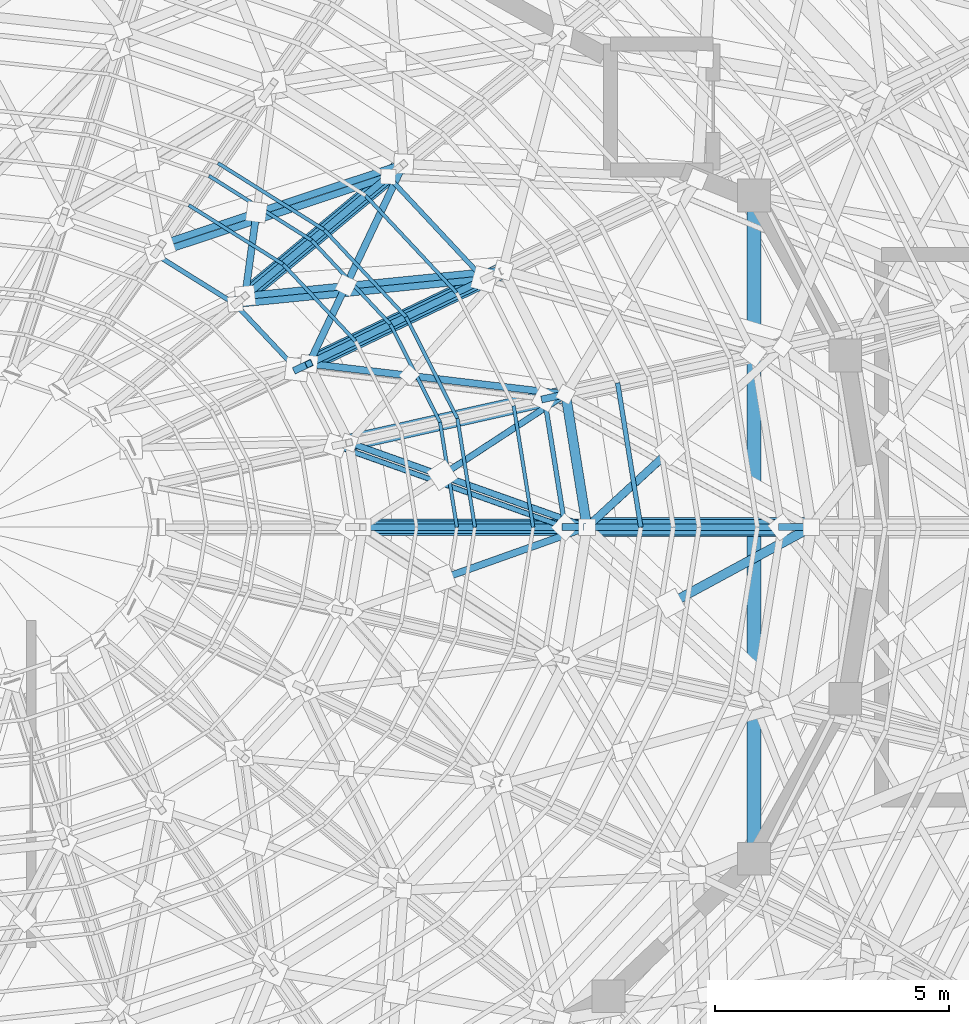
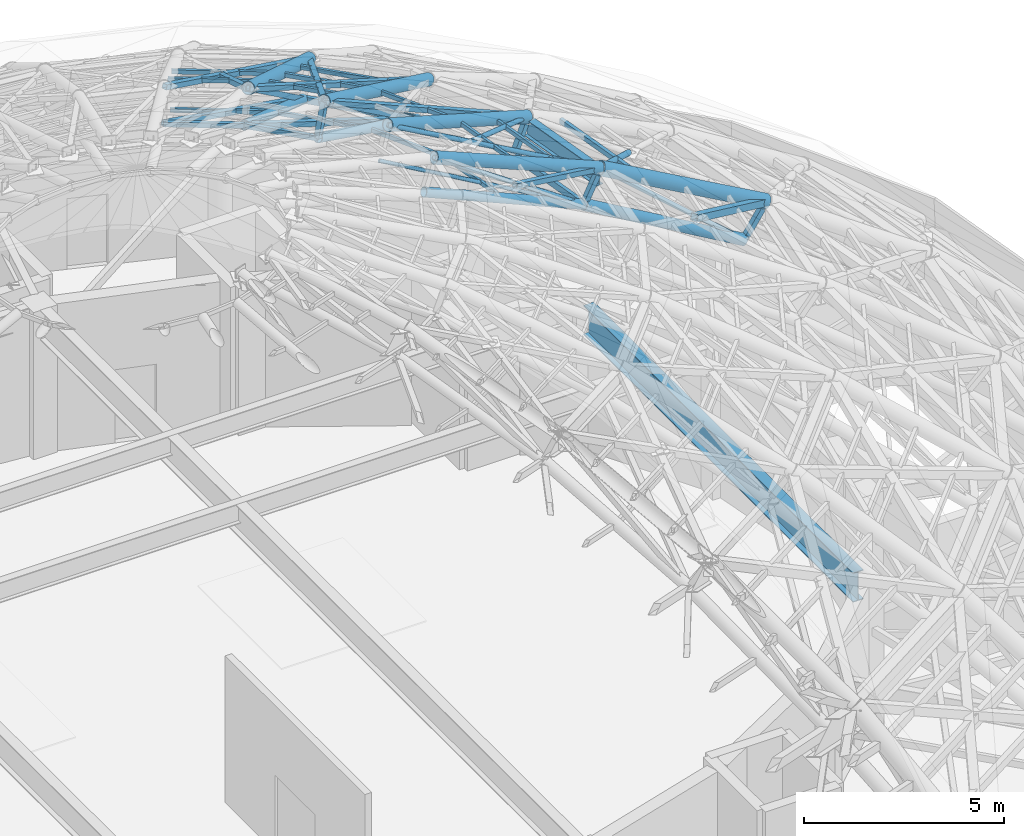
# One storey, part 22 of 50: 48 members, 2 beams.
"""IFC4 building model written with IfcOpenShell, lengths in metres."""

from ifc_helpers import new_model, si_unit, direction, frame, origin, origin_2d, place, context, subcontext, project, spatial, hollow_rectangle, hollow_circle, i_section, extrude, material, material_profile, profile_set, type_object, element, save


model = new_model("IFC4")

# Units and contexts
model_context = context("Model", 3, precision=1e-05, world=origin(), true_north=direction((0.0, 1.0)))
body_context = subcontext(model_context, "Body", "Model", "MODEL_VIEW")
ifc_project = project(units=[si_unit("LENGTHUNIT", "METRE"), si_unit("AREAUNIT", "SQUARE_METRE"), si_unit("VOLUMEUNIT", "CUBIC_METRE"), si_unit("PLANEANGLEUNIT", "RADIAN"), si_unit("MASSUNIT", "GRAM", prefix="KILO")], contexts=[model_context])

# Site, building, storey
site_placement = place(None, origin())
site = spatial("IfcSite", under=ifc_project, at=site_placement, CompositionType="ELEMENT")
building_placement = place(site_placement, origin())
building = spatial("IfcBuilding", under=site, at=building_placement, Name="Cinderbank Siding Concert Hall", CompositionType="ELEMENT")
storey_placement = place(building_placement, frame((0.0, 0.0, 23.699951171875)))
storey = spatial("IfcBuildingStorey", under=building, at=storey_placement, Name="L06", CompositionType="ELEMENT", Elevation=23.699951171875)

# Beams
ifc_material_1 = material(Name="Structural steel AS/NZS 3679.1 Grade 350 (340 MPa)", Category="steel")
ifc_material_profile_1 = material_profile(ifc_material_1, i_section(OverallWidth=0.208984375, OverallDepth=0.532958984375, WebThickness=0.01025390625, FlangeThickness=0.015625, at=origin_2d()), Name="530UB92.4", Category="LoadBearing")
ifc_profile_set_1 = profile_set([ifc_material_profile_1], Name="Structural steel AS/NZS 3679.1 Grade 350 (340 MPa)")
beam_type_1 = type_object("IfcBeamType", Name="BM-UB530H 530UB92.4", PredefinedType="BEAM", material=ifc_profile_set_1)
beam_1_placement = place(storey_placement, frame((135.39990234375, 44.0, 13.733642578125), z_axis=(-0.158340547868, 0.987384560797, 0.0), x_axis=(-0.987384560797, -0.158340547868, 0.0)))
element("IfcBeam", 1, at=beam_1_placement, inside=storey, type_object=beam_type_1, Name="L06 Beam BM-UB530H #2072", PredefinedType="BEAM", context=body_context, shape_type="SweptSolid", body=[
    extrude(i_section(OverallWidth=0.208984375, OverallDepth=0.532958984375, WebThickness=0.01025390625, FlangeThickness=0.015625, at=origin_2d()), origin(), (0.0, 0.0, 1.0), 2.88330078125),
])
ifc_material_2 = material(Name="Structural steel welded plate section AS/NZS 3679.2 / AS/NZS 3678 Grade 350 (340 MPa)", Category="steel")
ifc_material_profile_2 = material_profile(ifc_material_2, i_section(OverallWidth=0.300048828125, OverallDepth=0.89990234375, WebThickness=0.013916015625, FlangeThickness=0.02490234375, at=origin_2d()), Name="900WB218", Category="LoadBearing")
ifc_profile_set_2 = profile_set([ifc_material_profile_2], Name="Structural steel welded plate section AS/NZS 3679.2 / AS/NZS 3678 Grade 350 (340 MPa)")
beam_type_2 = type_object("IfcBeamType", Name="BM-WB900 900WB218", PredefinedType="BEAM", material=ifc_profile_set_2)
beam_2_placement = place(storey_placement, frame((138.97412109375, 50.758056640625, 4.052001953125), z_axis=(0.0, -1.0, 0.0), x_axis=(1.0, 0.0, 0.0)))
element("IfcBeam", 2, at=beam_2_placement, inside=storey, type_object=beam_type_2, Name="L06 Beam BM-WB900 #121", PredefinedType="BEAM", context=body_context, shape_type="SweptSolid", body=[
    extrude(i_section(OverallWidth=0.300048828125, OverallDepth=0.89990234375, WebThickness=0.013916015625, FlangeThickness=0.02490234375, at=origin_2d()), origin(), (0.0, 0.0, 1.0), 13.51611328125),
])

# Members
ifc_material_3 = material(Name="Structural steel hollow section AS/NZS 1163 Grade C350L0 (350 MPa)", Category="steel")
ifc_material_profile_3 = material_profile(ifc_material_3, hollow_circle(Radius=0.05712890625, WallThickness=0.006103515625, at=origin_2d()), Name="114.3x6.0CHS", Category="LoadBearing")
ifc_profile_set_3 = profile_set([ifc_material_profile_3], Name="Structural steel hollow section AS/NZS 1163 Grade C350L0 (350 MPa)")
member_type_1 = type_object("IfcMemberType", Name="BR-CHS114 114.3x6.0CHS Roof Truss", PredefinedType="BRACE", material=ifc_profile_set_3)
member_1_placement = place(storey_placement, frame((134.930908203125, 44.0, 13.050048828125), z_axis=(-0.879724072486, 0.312935476781, 0.357990144643), x_axis=(-0.3351472378, -0.942165765137, 0.0)))
element("IfcMember", 3, at=member_1_placement, inside=storey, type_object=member_type_1, Name="L06 Diagonal Brace BR-CHS114 #DBRI-BR-CHS114-L06-1403", PredefinedType="BRACE", context=body_context, shape_type="SweptSolid", body=[
    extrude(hollow_circle(Radius=0.05712890625, WallThickness=0.006103515625, at=origin_2d()), origin(), (0.0, 0.0, 1.0), 5.586669921875),
])
ifc_material_profile_4 = material_profile(ifc_material_3, hollow_circle(Radius=0.06982421875, WallThickness=0.00634765625, at=origin_2d()), Name="139.7x6.4CHS", Category="LoadBearing")
ifc_profile_set_4 = profile_set([ifc_material_profile_4], Name="Structural steel hollow section AS/NZS 1163 Grade C350L0 (350 MPa)")
member_type_2 = type_object("IfcMemberType", Name="BR-CHS139 139.7x6.4CHS Roof Truss", PredefinedType="BRACE", material=ifc_profile_set_4)
member_2_placement = place(storey_placement, frame((139.56298828125, 44.0, 10.35009765625), z_axis=(-0.751931668238, 0.0, 0.659241053258), x_axis=(0.0, -1.0, 0.0)))
element("IfcMember", 4, at=member_2_placement, inside=storey, type_object=member_type_2, Name="L06 Diagonal Brace BR-CHS139 #DWBD-BR-CHS139-L06-1106", PredefinedType="BRACE", context=body_context, shape_type="SweptSolid", body=[
    extrude(hollow_circle(Radius=0.06982421875, WallThickness=0.00634765625, at=origin_2d()), origin(), (0.0, 0.0, 1.0), 5.53662109375),
])
member_3_placement = place(storey_placement, frame((134.930908203125, 44.0, 13.050048828125), z_axis=(-0.826482557098, 0.0, 0.562962328058), x_axis=(0.0, -1.0, 0.0)))
element("IfcMember", 5, at=member_3_placement, inside=storey, type_object=member_type_2, Name="L06 Diagonal Brace BR-CHS139 #DWBD-BR-CHS139-L06-1394", PredefinedType="BRACE", context=body_context, shape_type="SweptSolid", body=[
    extrude(hollow_circle(Radius=0.06982421875, WallThickness=0.00634765625, at=origin_2d()), origin(), (0.0, 0.0, 1.0), 5.239990234375),
])
member_4_placement = place(storey_placement, frame((135.39990234375, 44.0, 14.0), z_axis=(-0.883622302252, 0.314335894972, 0.346993619675), x_axis=(-0.335160242234, -0.942161139098, 0.0)))
element("IfcMember", 6, at=member_4_placement, inside=storey, type_object=member_type_2, Name="L06 Diagonal Brace BR-CHS139 #DBRO-BR-CHS139-L06-1401", PredefinedType="BRACE", context=body_context, shape_type="SweptSolid", body=[
    extrude(hollow_circle(Radius=0.06982421875, WallThickness=0.00634765625, at=origin_2d()), origin(), (0.0, 0.0, 1.0), 5.763916015625),
])
member_5_placement = place(storey_placement, frame((134.943359375, 46.846923828125, 14.0), z_axis=(-0.78047507235, -0.51156947288, 0.359381880257), x_axis=(0.548193994041, -0.83635120906, 0.0)))
element("IfcMember", 7, at=member_5_placement, inside=storey, type_object=member_type_2, Name="L06 Diagonal Brace BR-CHS139 #DBRO-BR-CHS139-L06-1402", PredefinedType="BRACE", context=body_context, shape_type="SweptSolid", body=[
    extrude(hollow_circle(Radius=0.06982421875, WallThickness=0.00634765625, at=origin_2d()), origin(), (0.0, 0.0, 1.0), 3.386474609375),
])
ifc_material_profile_5 = material_profile(ifc_material_3, hollow_circle(Radius=0.084228515625, WallThickness=0.007080078125, at=origin_2d()), Name="168.3x7.1CHS", Category="LoadBearing")
ifc_profile_set_5 = profile_set([ifc_material_profile_5], Name="Structural steel hollow section AS/NZS 1163 Grade C350L0 (350 MPa)")
member_type_3 = type_object("IfcMemberType", Name="BR-CHS168 168.3x7.1CHS Roof Truss", PredefinedType="BRACE", material=ifc_profile_set_5)
member_6_placement = place(storey_placement, frame((137.16552734375, 45.62890625, 12.859619140625), z_axis=(-0.663973600551, -0.612559715552, 0.428846887192), x_axis=(0.678077465712, -0.73499044245, 0.0)))
element("IfcMember", 8, at=member_6_placement, inside=storey, type_object=member_type_3, Name="L06 Diagonal Brace BR-CHS168 #DBRO-BR-CHS168-L06-1114-S105", PredefinedType="BRACE", context=body_context, shape_type="SweptSolid", body=[
    extrude(hollow_circle(Radius=0.084228515625, WallThickness=0.007080078125, at=origin_2d()), origin(), (0.0, 0.0, 1.0), 2.6591796875),
])
ifc_material_profile_6 = material_profile(ifc_material_3, hollow_rectangle(XDim=0.14990234375, YDim=0.14990234375, WallThickness=0.008056640625, at=origin_2d()), Name="150x150x8.0SHS", Category="LoadBearing")
ifc_profile_set_6 = profile_set([ifc_material_profile_6], Name="Structural steel hollow section AS/NZS 1163 Grade C350L0 (350 MPa)")
member_type_4 = type_object("IfcMemberType", Name="BR-SHS150 150x150x8.0SHS Roof Truss", PredefinedType="BRACE", material=ifc_profile_set_6)
member_7_placement = place(storey_placement, frame((139.56298828125, 44.0, 10.35009765625), z_axis=(0.556914918862, 0.0, 0.830569547448), x_axis=(0.0, 1.0, 0.0)))
element("IfcMember", 9, at=member_7_placement, inside=storey, type_object=member_type_4, Name="L06 Diagonal Brace BR-SHS150 #DWBV-BR-SHS150-L06-1109", PredefinedType="BRACE", context=body_context, shape_type="SweptSolid", body=[
    extrude(hollow_rectangle(XDim=0.14990234375, YDim=0.14990234375, WallThickness=0.008056640625, at=origin_2d()), origin(), (0.0, 0.0, 1.0), 1.143798828125),
])
member_8_placement = place(storey_placement, frame((134.930908203125, 44.0, 13.050048828125), z_axis=(0.442691107218, 0.0, 0.89667417917), x_axis=(0.0, 1.0, 0.0)))
element("IfcMember", 10, at=member_8_placement, inside=storey, type_object=member_type_4, Name="L06 Diagonal Brace BR-SHS150 #DWBV-BR-SHS150-L06-1397", PredefinedType="BRACE", context=body_context, shape_type="SweptSolid", body=[
    extrude(hollow_rectangle(XDim=0.14990234375, YDim=0.14990234375, WallThickness=0.008056640625, at=origin_2d()), origin(), (0.0, 0.0, 1.0), 1.059326171875),
])
member_9_placement = place(storey_placement, frame((134.490478515625, 46.747314453125, 13.050048828125), z_axis=(0.428423947592, 0.09423017284, 0.898650986566), x_axis=(-0.214811563111, 0.976655513655, 0.0)))
element("IfcMember", 11, at=member_9_placement, inside=storey, type_object=member_type_4, Name="L06 Diagonal Brace BR-SHS150 #DWBV-BR-SHS150-L06-1409", PredefinedType="BRACE", context=body_context, shape_type="SweptSolid", body=[
    extrude(hollow_rectangle(XDim=0.14990234375, YDim=0.14990234375, WallThickness=0.008056640625, at=origin_2d()), origin(), (0.0, 0.0, 1.0), 1.05712890625),
])
member_10_placement = place(storey_placement, frame((134.943359375, 46.846923828125, 14.0), z_axis=(-0.933900620549, 0.110981082184, 0.339871785142), x_axis=(-0.118005754666, -0.993012911228, 0.0)))
element("IfcMember", 12, at=member_10_placement, inside=storey, type_object=member_type_4, Name="L06 Diagonal Brace BR-SHS150 #DBRO-BR-SHS150-L06-1413", PredefinedType="BRACE", context=body_context, shape_type="SweptSolid", body=[
    extrude(hollow_rectangle(XDim=0.14990234375, YDim=0.14990234375, WallThickness=0.008056640625, at=origin_2d()), origin(), (0.0, 0.0, 1.0), 5.884521484375),
])
member_11_placement = place(storey_placement, frame((133.198486328125, 49.3076171875, 13.050048828125), z_axis=(-0.73504663537, -0.354246259733, 0.578114202641), x_axis=(0.434148801716, -0.900841172443, 0.0)))
element("IfcMember", 13, at=member_11_placement, inside=storey, type_object=member_type_4, Name="L06 Diagonal Brace BR-SHS150 #DWBD-BR-SHS150-L06-1418", PredefinedType="BRACE", context=body_context, shape_type="SweptSolid", body=[
    extrude(hollow_rectangle(XDim=0.14990234375, YDim=0.14990234375, WallThickness=0.008056640625, at=origin_2d()), origin(), (0.0, 0.0, 1.0), 5.102783203125),
])
member_12_placement = place(storey_placement, frame((133.604736328125, 49.5, 14.0), z_axis=(-0.936165038777, -0.093264795465, 0.338964154593), x_axis=(0.099133573516, -0.995074135229, 0.0)))
element("IfcMember", 14, at=member_12_placement, inside=storey, type_object=member_type_4, Name="L06 Diagonal Brace BR-SHS150 #DBRO-BR-SHS150-L06-1425", PredefinedType="BRACE", context=body_context, shape_type="SweptSolid", body=[
    extrude(hollow_rectangle(XDim=0.14990234375, YDim=0.14990234375, WallThickness=0.008056640625, at=origin_2d()), origin(), (0.0, 0.0, 1.0), 5.900390625),
])
member_13_placement = place(storey_placement, frame((131.47509765625, 51.7783203125, 14.0), z_axis=(-0.394394356663, -0.832471385285, 0.389158687573), x_axis=(0.903710199591, -0.428144689509, 0.0)))
element("IfcMember", 15, at=member_13_placement, inside=storey, type_object=member_type_4, Name="L06 Diagonal Brace BR-SHS150 #DBRO-BR-SHS150-L06-1426", PredefinedType="BRACE", context=body_context, shape_type="SweptSolid", body=[
    extrude(hollow_rectangle(XDim=0.14990234375, YDim=0.14990234375, WallThickness=0.008056640625, at=origin_2d()), origin(), (0.0, 0.0, 1.0), 3.124267578125),
])
member_14_placement = place(storey_placement, frame((130.23095703125, 49.152587890625, 15.2275390625), z_axis=(-0.394514474684, -0.832440298983, 0.389103428273), x_axis=(0.903653554026, -0.428264234202, 0.0)))
element("IfcMember", 16, at=member_14_placement, inside=storey, type_object=member_type_4, Name="L06 Diagonal Brace BR-SHS150 #DBRO-BR-SHS150-L06-1426-S131", PredefinedType="BRACE", context=body_context, shape_type="SweptSolid", body=[
    extrude(hollow_rectangle(XDim=0.14990234375, YDim=0.14990234375, WallThickness=0.008056640625, at=origin_2d()), origin(), (0.0, 0.0, 1.0), 1.9853515625),
])
member_15_placement = place(storey_placement, frame((133.198486328125, 49.3076171875, 13.050048828125), z_axis=(-0.932212285128, -0.092871093814, 0.349793103691), x_axis=(0.099133667269, -0.995074125889, 0.0)))
element("IfcMember", 17, at=member_15_placement, inside=storey, type_object=member_type_4, Name="L06 Diagonal Brace BR-SHS150 #DBRI-BR-SHS150-L06-1427", PredefinedType="BRACE", context=body_context, shape_type="SweptSolid", body=[
    extrude(hollow_rectangle(XDim=0.14990234375, YDim=0.14990234375, WallThickness=0.008056640625, at=origin_2d()), origin(), (0.0, 0.0, 1.0), 5.7177734375),
])
member_16_placement = place(storey_placement, frame((131.1435546875, 51.505859375, 13.050048828125), z_axis=(-0.6172710179, -0.515212656044, 0.594585914324), x_axis=(0.640786191173, -0.767719387017, 0.0)))
element("IfcMember", 18, at=member_16_placement, inside=storey, type_object=member_type_4, Name="L06 Diagonal Brace BR-SHS150 #DWBD-BR-SHS150-L06-1430", PredefinedType="BRACE", context=body_context, shape_type="SweptSolid", body=[
    extrude(hollow_rectangle(XDim=0.14990234375, YDim=0.14990234375, WallThickness=0.008056640625, at=origin_2d()), origin(), (0.0, 0.0, 1.0), 4.96142578125),
])
member_17_placement = place(storey_placement, frame((131.47509765625, 51.7783203125, 14.0), z_axis=(-0.891111370371, -0.29549567497, 0.344387618346), x_axis=(0.31474968435, -0.949174713212, 0.0)))
element("IfcMember", 19, at=member_17_placement, inside=storey, type_object=member_type_4, Name="L06 Diagonal Brace BR-SHS150 #DBRO-BR-SHS150-L06-1437", PredefinedType="BRACE", context=body_context, shape_type="SweptSolid", body=[
    extrude(hollow_rectangle(XDim=0.14990234375, YDim=0.14990234375, WallThickness=0.008056640625, at=origin_2d()), origin(), (0.0, 0.0, 1.0), 5.807373046875),
])
member_18_placement = place(storey_placement, frame((128.320556640625, 50.7197265625, 15.2265625), z_axis=(-0.123047659208, -0.909373628195, 0.39736491781), x_axis=(0.990969373362, -0.134088407623, 0.0)))
element("IfcMember", 20, at=member_18_placement, inside=storey, type_object=member_type_4, Name="L06 Diagonal Brace BR-SHS150 #DBRO-BR-SHS150-L06-1438-S132", PredefinedType="BRACE", context=body_context, shape_type="SweptSolid", body=[
    extrude(hollow_rectangle(XDim=0.14990234375, YDim=0.14990234375, WallThickness=0.008056640625, at=origin_2d()), origin(), (0.0, 0.0, 1.0), 1.946533203125),
])
member_19_placement = place(storey_placement, frame((131.1435546875, 51.505859375, 13.050048828125), z_axis=(-0.887253465625, -0.294160784311, 0.355317774267), x_axis=(0.314696099108, -0.949192480589, 0.0)))
element("IfcMember", 21, at=member_19_placement, inside=storey, type_object=member_type_4, Name="L06 Diagonal Brace BR-SHS150 #DBRI-BR-SHS150-L06-1439", PredefinedType="BRACE", context=body_context, shape_type="SweptSolid", body=[
    extrude(hollow_rectangle(XDim=0.14990234375, YDim=0.14990234375, WallThickness=0.008056640625, at=origin_2d()), origin(), (0.0, 0.0, 1.0), 5.628662109375),
])
member_20_placement = place(storey_placement, frame((135.39990234375, 44.0, 14.0), z_axis=(-0.883612715031, -0.314312671052, 0.347039067905), x_axis=(0.33514148895, -0.942167810098, 0.0)))
element("IfcMember", 22, at=member_20_placement, inside=storey, type_object=member_type_4, Name="L06 Diagonal Brace BR-SHS150 #DBRO-BR-SHS150-L06-1678", PredefinedType="BRACE", context=body_context, shape_type="SweptSolid", body=[
    extrude(hollow_rectangle(XDim=0.14990234375, YDim=0.14990234375, WallThickness=0.008056640625, at=origin_2d()), origin(), (0.0, 0.0, 1.0), 3.506103515625),
])
member_21_placement = place(storey_placement, frame((129.18701171875, 47.37744140625, 15.050048828125), z_axis=(0.262664795398, 0.12346229147, 0.956955729302), x_axis=(-0.425388902363, 0.905010652836, 0.0)))
element("IfcMember", 23, at=member_21_placement, inside=storey, type_object=member_type_4, Name="L06 Diagonal Brace BR-SHS150 #DWBV-BR-SHS150-L06-1705", PredefinedType="BRACE", context=body_context, shape_type="SweptSolid", body=[
    extrude(hollow_rectangle(XDim=0.14990234375, YDim=0.14990234375, WallThickness=0.008056640625, at=origin_2d()), origin(), (0.0, 0.0, 1.0), 0.99267578125),
])
ifc_material_profile_7 = material_profile(ifc_material_3, hollow_rectangle(XDim=0.199951171875, YDim=0.199951171875, WallThickness=0.009033203125, at=origin_2d()), Name="200x200x9.0SHS", Category="LoadBearing")
ifc_profile_set_7 = profile_set([ifc_material_profile_7], Name="Structural steel hollow section AS/NZS 1163 Grade C350L0 (350 MPa)")
member_type_5 = type_object("IfcMemberType", Name="BR-SHS200 200x200x9.0SHS Roof Truss", PredefinedType="BRACE", material=ifc_profile_set_7)
member_22_placement = place(storey_placement, frame((140.199951171875, 44.0, 11.300048828125), z_axis=(-0.801362763042, -0.434030905698, 0.411624701529), x_axis=(0.476248712502, -0.879310618519, 0.0)))
element("IfcMember", 24, at=member_22_placement, inside=storey, type_object=member_type_5, Name="L06 Diagonal Brace BR-SHS200 #DBRO-BR-SHS200-L06-1390", PredefinedType="BRACE", context=body_context, shape_type="SweptSolid", body=[
    extrude(hollow_rectangle(XDim=0.199951171875, YDim=0.199951171875, WallThickness=0.009033203125, at=origin_2d()), origin(), (0.0, 0.0, 1.0), 3.75927734375),
])
ifc_material_profile_8 = material_profile(ifc_material_3, hollow_circle(Radius=0.136474609375, WallThickness=0.00927734375, at=origin_2d()), Name="273.1x9.3CHS", Category="LoadBearing")
ifc_profile_set_8 = profile_set([ifc_material_profile_8], Name="Structural steel hollow section AS/NZS 1163 Grade C350L0 (350 MPa)")
member_type_6 = type_object("IfcMemberType", Name="DR-CHS273 273.1x9.3CHS Roof Truss", PredefinedType="RAFTER", material=ifc_profile_set_8)
member_23_placement = place(storey_placement, frame((134.930908203125, 44.0, 13.050048828125), z_axis=(-0.918070358794, 0.0, 0.396417477295), x_axis=(0.0, -1.0, 0.0)))
element("IfcMember", 25, at=member_23_placement, inside=storey, type_object=member_type_6, Name="L06 Roof Truss Member DR-CHS273 #1393", PredefinedType="RAFTER", context=body_context, shape_type="SweptSolid", body=[
    extrude(hollow_circle(Radius=0.136474609375, WallThickness=0.00927734375, at=origin_2d()), origin(), (0.0, 0.0, 1.0), 5.045166015625),
])
member_24_placement = place(storey_placement, frame((133.198486328125, 49.3076171875, 13.050048828125), z_axis=(-0.821969865668, -0.395502024099, 0.409809332332), x_axis=(0.433583104799, -0.90111358398, 0.0)))
element("IfcMember", 26, at=member_24_placement, inside=storey, type_object=member_type_6, Name="L06 Roof Truss Member DR-CHS273 #1417", PredefinedType="RAFTER", context=body_context, shape_type="SweptSolid", body=[
    extrude(hollow_circle(Radius=0.136474609375, WallThickness=0.00927734375, at=origin_2d()), origin(), (0.0, 0.0, 1.0), 4.88037109375),
])
member_25_placement = place(storey_placement, frame((131.1435546875, 51.505859375, 13.050048828125), z_axis=(-0.695496901664, -0.5795721106, 0.424711935776), x_axis=(0.640178766907, -0.768225973527, 0.0)))
element("IfcMember", 27, at=member_25_placement, inside=storey, type_object=member_type_6, Name="L06 Roof Truss Member DR-CHS273 #1429", PredefinedType="RAFTER", context=body_context, shape_type="SweptSolid", body=[
    extrude(hollow_circle(Radius=0.136474609375, WallThickness=0.00927734375, at=origin_2d()), origin(), (0.0, 0.0, 1.0), 4.708984375),
])
ifc_material_profile_9 = material_profile(ifc_material_3, hollow_circle(Radius=0.161865234375, WallThickness=0.0126953125, at=origin_2d()), Name="323.9x12.7CHS", Category="LoadBearing")
ifc_profile_set_9 = profile_set([ifc_material_profile_9], Name="Structural steel hollow section AS/NZS 1163 Grade C350L0 (350 MPa)")
member_type_7 = type_object("IfcMemberType", Name="DR-CHS323 323.9x12.7CHS Roof Truss", PredefinedType="RAFTER", material=ifc_profile_set_9)
member_26_placement = place(storey_placement, frame((139.56298828125, 44.0, 10.35009765625), z_axis=(-0.863948961748, 0.0, 0.503579379538), x_axis=(0.0, -1.0, 0.0)))
element("IfcMember", 28, at=member_26_placement, inside=storey, type_object=member_type_7, Name="L06 Roof Truss Member DR-CHS323 #1105", PredefinedType="RAFTER", context=body_context, shape_type="SweptSolid", body=[
    extrude(hollow_circle(Radius=0.161865234375, WallThickness=0.0126953125, at=origin_2d()), origin(), (0.0, 0.0, 1.0), 5.361572265625),
])
ifc_material_profile_10 = material_profile(ifc_material_3, hollow_circle(Radius=0.177734375, WallThickness=0.0126953125, at=origin_2d()), Name="355.6x12.7CHS", Category="LoadBearing")
ifc_profile_set_10 = profile_set([ifc_material_profile_10], Name="Structural steel hollow section AS/NZS 1163 Grade C350L0 (350 MPa)")
member_type_8 = type_object("IfcMemberType", Name="DR-CHS355 355.6x12.7CHS Roof Truss", PredefinedType="RAFTER", material=ifc_profile_set_10)
member_27_placement = place(storey_placement, frame((135.39990234375, 44.0, 14.0), z_axis=(-0.923071366561, 0.0, 0.384628719983), x_axis=(0.0, -1.0, 0.0)))
element("IfcMember", 29, at=member_27_placement, inside=storey, type_object=member_type_8, Name="L06 Roof Truss Member DR-CHS355 #1392", PredefinedType="RAFTER", context=body_context, shape_type="SweptSolid", body=[
    extrude(hollow_circle(Radius=0.177734375, WallThickness=0.0126953125, at=origin_2d()), origin(), (0.0, 0.0, 1.0), 5.19970703125),
])
member_28_placement = place(storey_placement, frame((134.943359375, 46.846923828125, 14.0), z_axis=(-0.899507554833, -0.200827340977, 0.388013579548), x_axis=(0.217898925062, -0.975971341002, 0.0)))
element("IfcMember", 30, at=member_28_placement, inside=storey, type_object=member_type_8, Name="L06 Roof Truss Member DR-CHS355 #1404", PredefinedType="RAFTER", context=body_context, shape_type="SweptSolid", body=[
    extrude(hollow_circle(Radius=0.177734375, WallThickness=0.0126953125, at=origin_2d()), origin(), (0.0, 0.0, 1.0), 5.154541015625),
])
member_29_placement = place(storey_placement, frame((133.604736328125, 49.5, 14.0), z_axis=(-0.826771188682, -0.397774685951, 0.397774685951), x_axis=(0.433549862305, -0.901129578304, 0.0)))
element("IfcMember", 31, at=member_29_placement, inside=storey, type_object=member_type_8, Name="L06 Roof Truss Member DR-CHS355 #1416", PredefinedType="RAFTER", context=body_context, shape_type="SweptSolid", body=[
    extrude(hollow_circle(Radius=0.177734375, WallThickness=0.0126953125, at=origin_2d()), origin(), (0.0, 0.0, 1.0), 5.028076171875),
])
member_30_placement = place(storey_placement, frame((131.47509765625, 51.7783203125, 14.0), z_axis=(-0.699831224622, -0.583243027512, 0.412387957999), x_axis=(0.640217010255, -0.768194102932, 0.0)))
element("IfcMember", 32, at=member_30_placement, inside=storey, type_object=member_type_8, Name="L06 Roof Truss Member DR-CHS355 #1428", PredefinedType="RAFTER", context=body_context, shape_type="SweptSolid", body=[
    extrude(hollow_circle(Radius=0.177734375, WallThickness=0.0126953125, at=origin_2d()), origin(), (0.0, 0.0, 1.0), 4.849853515625),
])
ifc_material_profile_11 = material_profile(ifc_material_3, hollow_circle(Radius=0.203125, WallThickness=0.01611328125, at=origin_2d()), Name="406.4x16.0CHS", Category="LoadBearing")
ifc_profile_set_11 = profile_set([ifc_material_profile_11], Name="Structural steel hollow section AS/NZS 1163 Grade C350L0 (350 MPa)")
member_type_9 = type_object("IfcMemberType", Name="DR-CHS406 406.4x16.0CHS Roof Truss", PredefinedType="RAFTER", material=ifc_profile_set_11)
member_31_placement = place(storey_placement, frame((140.199951171875, 44.0, 11.300048828125), z_axis=(-0.871581456561, 0.0, 0.490250716042), x_axis=(0.0, -1.0, 0.0)))
element("IfcMember", 33, at=member_31_placement, inside=storey, type_object=member_type_9, Name="L06 Roof Truss Member DR-CHS406 #1104", PredefinedType="RAFTER", context=body_context, shape_type="SweptSolid", body=[
    extrude(hollow_circle(Radius=0.203125, WallThickness=0.01611328125, at=origin_2d()), origin(), (0.0, 0.0, 1.0), 5.50732421875),
])
ifc_material_profile_12 = material_profile(ifc_material_3, hollow_rectangle(XDim=0.074951171875, YDim=0.125, WallThickness=0.0048828125, at=origin_2d()), Name="125x75x5.0RHS", Category="LoadBearing")
ifc_profile_set_12 = profile_set([ifc_material_profile_12], Name="Structural steel hollow section AS/NZS 1163 Grade C350L0 (350 MPa)")
member_type_10 = type_object("IfcMemberType", Name="PR-RHS125 125x75x5.0RHS Roof Truss", PredefinedType="PURLIN", material=ifc_profile_set_12)
member_32_placement = place(storey_placement, frame((132.614990234375, 44.0, 14.050048828125), z_axis=(-0.15881436208, 0.987308461625, 0.0), x_axis=(-0.987308461625, -0.15881436208, 0.0)))
element("IfcMember", 34, at=member_32_placement, inside=storey, type_object=member_type_10, Name="L06 Roof Truss Member PR-RHS125 #1396", PredefinedType="PURLIN", context=body_context, shape_type="SweptSolid", body=[
    extrude(hollow_rectangle(XDim=0.074951171875, YDim=0.125, WallThickness=0.0048828125, at=origin_2d()), origin(), (0.0, 0.0, 1.0), 2.276611328125),
])
member_33_placement = place(storey_placement, frame((134.248046875, 44.0, 14.47998046875), z_axis=(-0.158544057457, 0.987351903753, 0.0), x_axis=(-0.987351903753, -0.158544057457, 0.0)))
element("IfcMember", 35, at=member_33_placement, inside=storey, type_object=member_type_10, Name="L06 Roof Truss Member PR-RHS125 #1398", PredefinedType="PURLIN", context=body_context, shape_type="SweptSolid", body=[
    extrude(hollow_rectangle(XDim=0.074951171875, YDim=0.125, WallThickness=0.0048828125, at=origin_2d()), origin(), (0.0, 0.0, 1.0), 2.631591796875),
])
member_34_placement = place(storey_placement, frame((133.0, 44.0, 15.0), z_axis=(-0.158842014488, 0.987304013176, 0.0), x_axis=(-0.987304013176, -0.158842014488, 0.0)))
element("IfcMember", 36, at=member_34_placement, inside=storey, type_object=member_type_10, Name="L06 Roof Truss Member PR-RHS125 #1399", PredefinedType="PURLIN", context=body_context, shape_type="SweptSolid", body=[
    extrude(hollow_rectangle(XDim=0.074951171875, YDim=0.125, WallThickness=0.0048828125, at=origin_2d()), origin(), (0.0, 0.0, 1.0), 2.359375),
])
member_35_placement = place(storey_placement, frame((132.25341796875, 46.247802734375, 14.050048828125), z_axis=(-0.451699999608, 0.892169888729, 0.0), x_axis=(-0.892169888729, -0.451699999608, 0.0)))
element("IfcMember", 37, at=member_35_placement, inside=storey, type_object=member_type_10, Name="L06 Roof Truss Member PR-RHS125 #1408", PredefinedType="PURLIN", context=body_context, shape_type="SweptSolid", body=[
    extrude(hollow_rectangle(XDim=0.074951171875, YDim=0.125, WallThickness=0.0048828125, at=origin_2d()), origin(), (0.0, 0.0, 1.0), 2.347900390625),
])
member_36_placement = place(storey_placement, frame((132.625244140625, 46.329345703125, 15.0), z_axis=(-0.451663469809, 0.892188382597, 0.0), x_axis=(-0.892188382597, -0.451663469809, 0.0)))
element("IfcMember", 38, at=member_36_placement, inside=storey, type_object=member_type_10, Name="L06 Roof Truss Member PR-RHS125 #1411", PredefinedType="PURLIN", context=body_context, shape_type="SweptSolid", body=[
    extrude(hollow_rectangle(XDim=0.074951171875, YDim=0.125, WallThickness=0.0048828125, at=origin_2d()), origin(), (0.0, 0.0, 1.0), 2.432861328125),
])
member_37_placement = place(storey_placement, frame((131.19287109375, 48.342529296875, 14.050048828125), z_axis=(-0.684122238998, 0.729367371157, 0.0), x_axis=(-0.729367371157, -0.684122238998, 0.0)))
element("IfcMember", 39, at=member_37_placement, inside=storey, type_object=member_type_10, Name="L06 Roof Truss Member PR-RHS125 #1420", PredefinedType="PURLIN", context=body_context, shape_type="SweptSolid", body=[
    extrude(hollow_rectangle(XDim=0.074951171875, YDim=0.125, WallThickness=0.0048828125, at=origin_2d()), origin(), (0.0, 0.0, 1.0), 2.466064453125),
])
member_38_placement = place(storey_placement, frame((132.60693359375, 49.02001953125, 14.47998046875), z_axis=(-0.68336207894, 0.730079632004, 0.0), x_axis=(-0.730079632004, -0.68336207894, 0.0)))
element("IfcMember", 40, at=member_38_placement, inside=storey, type_object=member_type_10, Name="L06 Roof Truss Member PR-RHS125 #1422", PredefinedType="PURLIN", context=body_context, shape_type="SweptSolid", body=[
    extrude(hollow_rectangle(XDim=0.074951171875, YDim=0.125, WallThickness=0.0048828125, at=origin_2d()), origin(), (0.0, 0.0, 1.0), 2.84814453125),
])
member_39_placement = place(storey_placement, frame((131.5263671875, 48.5, 15.0), z_axis=(-0.684103178417, 0.729385248878, 0.0), x_axis=(-0.729385248878, -0.684103178417, 0.0)))
element("IfcMember", 41, at=member_39_placement, inside=storey, type_object=member_type_10, Name="L06 Roof Truss Member PR-RHS125 #1423", PredefinedType="PURLIN", context=body_context, shape_type="SweptSolid", body=[
    extrude(hollow_rectangle(XDim=0.074951171875, YDim=0.125, WallThickness=0.0048828125, at=origin_2d()), origin(), (0.0, 0.0, 1.0), 2.5556640625),
])
member_40_placement = place(storey_placement, frame((130.445556640625, 47.97998046875, 15.52001953125), z_axis=(-0.684974166446, 0.728567355363, 0.0), x_axis=(-0.728567355363, -0.684974166446, 0.0)))
element("IfcMember", 42, at=member_40_placement, inside=storey, type_object=member_type_10, Name="L06 Roof Truss Member PR-RHS125 #1424", PredefinedType="PURLIN", context=body_context, shape_type="SweptSolid", body=[
    extrude(hollow_rectangle(XDim=0.074951171875, YDim=0.125, WallThickness=0.0048828125, at=origin_2d()), origin(), (0.0, 0.0, 1.0), 2.2626953125),
])
member_41_placement = place(storey_placement, frame((129.505859375, 50.14111328125, 14.050048828125), z_axis=(-0.846876197645, 0.531790095678, 0.0), x_axis=(-0.531790095678, -0.846876197645, 0.0)))
element("IfcMember", 43, at=member_41_placement, inside=storey, type_object=member_type_10, Name="L06 Roof Truss Member PR-RHS125 #1432", PredefinedType="PURLIN", context=body_context, shape_type="SweptSolid", body=[
    extrude(hollow_rectangle(XDim=0.074951171875, YDim=0.125, WallThickness=0.0048828125, at=origin_2d()), origin(), (0.0, 0.0, 1.0), 2.595703125),
])
member_42_placement = place(storey_placement, frame((129.778076171875, 50.364013671875, 15.0), z_axis=(-0.846930862416, 0.531703032047, 0.0), x_axis=(-0.531703032047, -0.846930862416, 0.0)))
element("IfcMember", 44, at=member_42_placement, inside=storey, type_object=member_type_10, Name="L06 Roof Truss Member PR-RHS125 #1435", PredefinedType="PURLIN", context=body_context, shape_type="SweptSolid", body=[
    extrude(hollow_rectangle(XDim=0.074951171875, YDim=0.125, WallThickness=0.0048828125, at=origin_2d()), origin(), (0.0, 0.0, 1.0), 2.689697265625),
])
member_43_placement = place(storey_placement, frame((128.895751953125, 49.62841796875, 15.52001953125), z_axis=(-0.847474187281, 0.530836605644, 0.0), x_axis=(-0.530836605644, -0.847474187281, 0.0)))
element("IfcMember", 45, at=member_43_placement, inside=storey, type_object=member_type_10, Name="L06 Roof Truss Member PR-RHS125 #1436", PredefinedType="PURLIN", context=body_context, shape_type="SweptSolid", body=[
    extrude(hollow_rectangle(XDim=0.074951171875, YDim=0.125, WallThickness=0.0048828125, at=origin_2d()), origin(), (0.0, 0.0, 1.0), 2.38330078125),
])
ifc_material_profile_13 = material_profile(ifc_material_3, hollow_rectangle(XDim=0.10009765625, YDim=0.14990234375, WallThickness=0.006103515625, at=origin_2d()), Name="150x100x6.0RHS", Category="LoadBearing")
ifc_profile_set_13 = profile_set([ifc_material_profile_13], Name="Structural steel hollow section AS/NZS 1163 Grade C350L0 (350 MPa)")
member_type_11 = type_object("IfcMemberType", Name="PR-RHS150 150x100x6.0RHS Roof Truss", PredefinedType="PURLIN", material=ifc_profile_set_13)
member_44_placement = place(storey_placement, frame((136.552001953125, 44.0, 13.35205078125), z_axis=(-0.158474351544, 0.987363094258, 0.0), x_axis=(-0.987363094258, -0.158474351544, 0.0)))
element("IfcMember", 46, at=member_44_placement, inside=storey, type_object=member_type_11, Name="L06 Roof Truss Member PR-RHS150 #1112", PredefinedType="PURLIN", context=body_context, shape_type="SweptSolid", body=[
    extrude(hollow_rectangle(XDim=0.10009765625, YDim=0.14990234375, WallThickness=0.006103515625, at=origin_2d()), origin(), (0.0, 0.0, 1.0), 3.12890625),
])
member_45_placement = place(storey_placement, frame((129.18701171875, 47.37744140625, 15.050048828125), z_axis=(-0.685843830053, 0.727748748386, 0.0), x_axis=(-0.727748748386, -0.685843830053, 0.0)))
element("IfcMember", 47, at=member_45_placement, inside=storey, type_object=member_type_11, Name="L06 Roof Truss Member PR-RHS150 #1419", PredefinedType="PURLIN", context=body_context, shape_type="SweptSolid", body=[
    extrude(hollow_rectangle(XDim=0.10009765625, YDim=0.14990234375, WallThickness=0.006103515625, at=origin_2d()), origin(), (0.0, 0.0, 1.0), 1.922607421875),
])
member_46_placement = place(storey_placement, frame((127.868408203125, 48.776611328125, 15.050048828125), z_axis=(-0.848194509168, 0.529684882376, 0.0), x_axis=(-0.529684882376, -0.848194509168, 0.0)))
element("IfcMember", 48, at=member_46_placement, inside=storey, type_object=member_type_11, Name="L06 Roof Truss Member PR-RHS150 #1431", PredefinedType="PURLIN", context=body_context, shape_type="SweptSolid", body=[
    extrude(hollow_rectangle(XDim=0.10009765625, YDim=0.14990234375, WallThickness=0.006103515625, at=origin_2d()), origin(), (0.0, 0.0, 1.0), 2.026611328125),
])
ifc_material_profile_14 = material_profile(ifc_material_3, hollow_rectangle(XDim=0.10009765625, YDim=0.199951171875, WallThickness=0.008056640625, at=origin_2d()), Name="200x100x8.0RHS", Category="LoadBearing")
ifc_profile_set_14 = profile_set([ifc_material_profile_14], Name="Structural steel hollow section AS/NZS 1163 Grade C350L0 (350 MPa)")
member_type_12 = type_object("IfcMemberType", Name="PR-RHS200 200x100x8.0RHS Roof Truss", PredefinedType="PURLIN", material=ifc_profile_set_14)
member_47_placement = place(storey_placement, frame((134.930908203125, 44.0, 13.050048828125), z_axis=(-0.15829164601, 0.987392401633, 0.0), x_axis=(-0.987392401633, -0.15829164601, 0.0)))
element("IfcMember", 49, at=member_47_placement, inside=storey, type_object=member_type_12, Name="L06 Roof Truss Member PR-RHS200 #1107", PredefinedType="PURLIN", context=body_context, shape_type="SweptSolid", body=[
    extrude(hollow_rectangle(XDim=0.10009765625, YDim=0.199951171875, WallThickness=0.008056640625, at=origin_2d()), origin(), (0.0, 0.0, 1.0), 2.782470703125),
])
member_48_placement = place(storey_placement, frame((133.198486328125, 49.3076171875, 13.050048828125), z_axis=(-0.68289329062, 0.730518140518, 0.0), x_axis=(-0.730518140518, -0.68289329062, 0.0)))
element("IfcMember", 50, at=member_48_placement, inside=storey, type_object=member_type_12, Name="L06 Roof Truss Member PR-RHS200 #1131", PredefinedType="PURLIN", context=body_context, shape_type="SweptSolid", body=[
    extrude(hollow_rectangle(XDim=0.10009765625, YDim=0.199951171875, WallThickness=0.008056640625, at=origin_2d()), origin(), (0.0, 0.0, 1.0), 3.009033203125),
])

save(model, "model.ifc")
